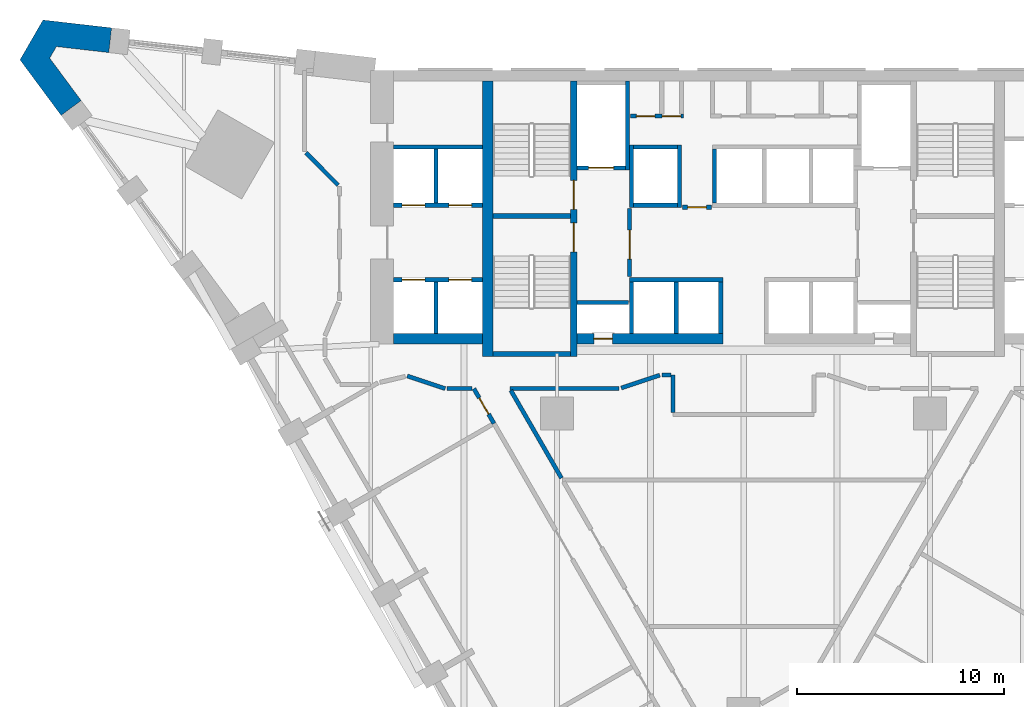
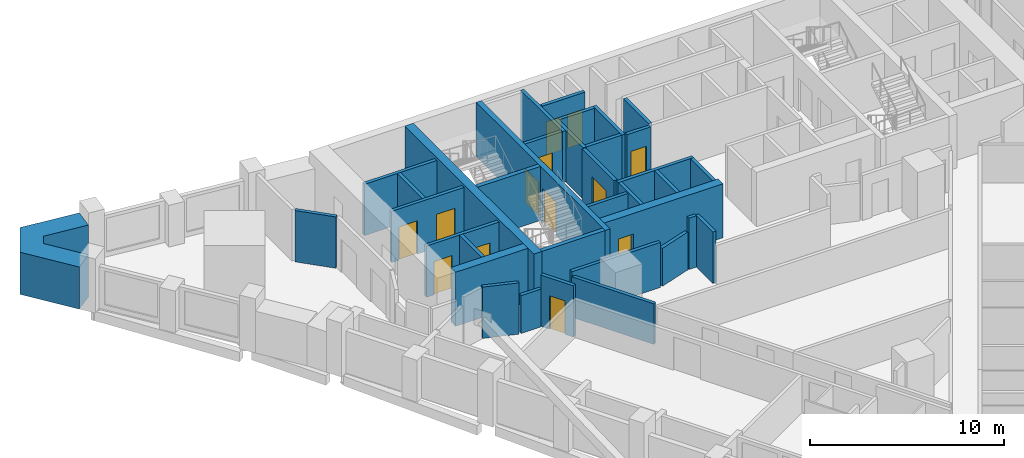
# One storey, part 6 of 10: 36 walls, 13 doors, 13 openings.
"""IFC4 building model written with IfcOpenShell, lengths in metres."""

from ifc_helpers import new_model, si_unit, direction, frame, frame_2d, origin, place, context, subcontext, project, spatial, polyline, rectangle, outline, extrude, material, layer, layer_set, type_object, element, fill, save


model = new_model("IFC4")

# Units and contexts
model_context = context("Model", 3, precision=1e-05, world=origin(), true_north=direction((0.0, 1.0)))
body_context = subcontext(model_context, "Body", "Model", "MODEL_VIEW")
ifc_project = project(units=[si_unit("LENGTHUNIT", "METRE"), si_unit("AREAUNIT", "SQUARE_METRE"), si_unit("VOLUMEUNIT", "CUBIC_METRE"), si_unit("PLANEANGLEUNIT", "RADIAN"), si_unit("MASSUNIT", "GRAM", prefix="KILO")], contexts=[model_context])

# Site, building, storey
site_placement = place(None, origin())
site = spatial("IfcSite", under=ifc_project, at=site_placement, CompositionType="ELEMENT")
building_placement = place(site_placement, origin())
building = spatial("IfcBuilding", under=site, at=building_placement, Name="Calabash Gate Tower", CompositionType="ELEMENT")
storey_placement = place(building_placement, frame((0.0, 0.0, 66.39990234375)))
storey = spatial("IfcBuildingStorey", under=building, at=storey_placement, Name="L12", CompositionType="ELEMENT", Elevation=66.39990234375)

# Walls
ifc_material_1 = material(Name="Terracotta brick masonry, exposed face", Category="masonry")
ifc_layer_1 = layer(ifc_material_1, 1.199951171875)
ifc_layer_set_1 = layer_set([ifc_layer_1], Name="Brick end wall 1200")
wall_type_1 = type_object("IfcWallType", Name="Brick end wall 1200", PredefinedType="SOLIDWALL", material=ifc_layer_set_1)
wall_1_placement = place(storey_placement, origin())
element("IfcWall", 1, at=wall_1_placement, inside=storey, type_object=wall_type_1, Name="Brick end wall S03 2", PredefinedType="SOLIDWALL", context=body_context, shape_type="SweptSolid", body=[
    extrude(outline(polyline([(-33.15966796875, 20.206787109375), (-30.630615234375, 19.917236328125), (-30.494140625, 21.109375), (-33.805419921875, 21.48876953125), (-34.915771484375, 19.5654296875), (-32.931884765625, 16.887451171875), (-31.967529296875, 17.601806640625), (-33.48291015625, 19.647216796875), (-33.15966796875, 20.206787109375)])), origin(), (0.0, 0.0, 1.0), 2.650146484375),
])
ifc_material_2 = material(Name="Concrete C80/95", Category="concrete")
ifc_layer_2 = layer(ifc_material_2, 0.25)
ifc_layer_set_2 = layer_set([ifc_layer_2], Name="Core wall 250 Concrete C80/95")
wall_type_2 = type_object("IfcWallType", Name="Core wall 250 Concrete C80/95", PredefinedType="SHEAR", material=ifc_layer_set_2)
for number, where, z_axis, x_axis, name in (
    (2, (-12.10009765625, 12.027587890625, 0.0), (0.0, 0.0, 1.0), (1.0, 0.0, 0.0), "Core wall Z1-MIDW L12"),
    (3, (-12.10009765625, 5.377685546875, 0.0), (0.0, 0.0, 1.0), (1.0, 0.0, 0.0), "Core wall Z1-SSW L12"),
):
    element("IfcWall", number, at=place(storey_placement, frame(where, z_axis=z_axis, x_axis=x_axis)), inside=storey, type_object=wall_type_2, Name=name, PredefinedType="SHEAR", context=body_context, shape_type="SweptSolid", body=[
        extrude(rectangle(XDim=3.75, YDim=0.25, at=frame_2d((1.875, 0.0))), origin(), (0.0, 0.0, 1.0), 3.400146484375),
    ])

# Wall, openings, doors
ifc_material_3 = material(Name="Concrete C80/95", Category="concrete")
ifc_layer_3 = layer(ifc_material_3, 0.300048828125)
ifc_layer_set_3 = layer_set([ifc_layer_3], Name="Core wall 300 Concrete C80/95")
wall_type_3 = type_object("IfcWallType", Name="Core wall 300 Concrete C80/95", PredefinedType="SHEAR", material=ifc_layer_set_3)
wall_2_placement = place(storey_placement, frame((-8.199951171875, 5.252685546875, 0.0), z_axis=(0.0, 0.0, 1.0), x_axis=(0.0, 1.0, 0.0)))
wall_2 = element("IfcWall", 4, at=wall_2_placement, inside=storey, type_object=wall_type_3, Name="Core wall Z1-PARTW L12", PredefinedType="SHEAR", context=body_context, shape_type="SweptSolid", body=[
    extrude(rectangle(XDim=13.2998046875, YDim=0.300048828125, at=frame_2d((6.64990234375, 0.0))), origin(), (0.0, 0.0, 1.0), 3.400146484375),
])
opening_1_placement = place(wall_2_placement, frame((7.10009765625, 0.0, 0.0)))
opening_1 = element("IfcOpeningElement", 5, at=opening_1_placement, cuts=wall_2, Name="Opening H3-015", PredefinedType="OPENING", context=body_context, shape_type="SweptSolid", body=[
    extrude(rectangle(XDim=1.39990234375, YDim=2.10009765625, at=frame_2d((0.699951171875, 1.050048828125))), frame((0.0, 0.159912109375, 0.0), z_axis=(0.0, -1.0, 0.0), x_axis=(1.0, 0.0, 0.0)), (0.0, 0.0, 1.0), 0.320068359375),
])
opening_2_placement = place(wall_2_placement, frame((5.050048828125, 0.0, 0.0)))
opening_2 = element("IfcOpeningElement", 6, at=opening_2_placement, cuts=wall_2, Name="Opening H3-016", PredefinedType="OPENING", context=body_context, shape_type="SweptSolid", body=[
    extrude(rectangle(XDim=1.39990234375, YDim=2.10009765625, at=frame_2d((0.699951171875, 1.050048828125))), frame((0.0, 0.159912109375, 0.0), z_axis=(0.0, -1.0, 0.0), x_axis=(1.0, 0.0, 0.0)), (0.0, 0.0, 1.0), 0.320068359375),
])
ifc_material_4 = material(Name="Steel fire door set with fire-resisting glazing", Category="steel")
door_type_1 = type_object("IfcDoorType", Name="Fire door D05 1400x2100 FD90", OperationType="NOTDEFINED", PredefinedType="DOOR", material=ifc_material_4)
door_1_placement = place(opening_1_placement, origin())
door_1 = element("IfcDoor", 7, at=door_1_placement, inside=storey, type_object=door_type_1, Name="Exit stair door ST1", OperationType="SINGLE_SWING_LEFT", OverallHeight=2.10009765625, OverallWidth=1.39990234375, PredefinedType="DOOR", context=body_context, shape_type="SweptSolid", body=[
    extrude(rectangle(XDim=1.39990234375, YDim=2.10009765625, at=frame_2d((0.699951171875, 1.050048828125))), frame((0.0, 0.02490234375, 0.0), z_axis=(0.0, -1.0, 0.0), x_axis=(1.0, 0.0, 0.0)), (0.0, 0.0, 1.0), 0.050048828125),
])
fill(opening_1, door_1)
door_2_placement = place(opening_2_placement, origin())
door_2 = element("IfcDoor", 8, at=door_2_placement, inside=storey, type_object=door_type_1, Name="Exit stair door ST2", OperationType="SINGLE_SWING_LEFT", OverallHeight=2.10009765625, OverallWidth=1.39990234375, PredefinedType="DOOR", context=body_context, shape_type="SweptSolid", body=[
    extrude(rectangle(XDim=1.39990234375, YDim=2.10009765625, at=frame_2d((0.699951171875, 1.050048828125))), frame((0.0, 0.02490234375, 0.0), z_axis=(0.0, -1.0, 0.0), x_axis=(1.0, 0.0, 0.0)), (0.0, 0.0, 1.0), 0.050048828125),
])
fill(opening_2, door_2)

# Wall
ifc_material_5 = material(Name="Concrete C80/95", Category="concrete")
ifc_layer_4 = layer(ifc_material_5, 0.5)
ifc_layer_set_4 = layer_set([ifc_layer_4], Name="Core wall 500 Concrete C80/95")
wall_type_4 = type_object("IfcWallType", Name="Core wall 500 Concrete C80/95", PredefinedType="SHEAR", material=ifc_layer_set_4)
wall_3_placement = place(storey_placement, frame((-12.35009765625, 5.252685546875, 0.0), z_axis=(0.0, 0.0, 1.0), x_axis=(0.0, 1.0, 0.0)))
element("IfcWall", 9, at=wall_3_placement, inside=storey, type_object=wall_type_4, Name="Core wall Z1-COLW L12", PredefinedType="SHEAR", context=body_context, shape_type="SweptSolid", body=[
    extrude(rectangle(XDim=13.2998046875, YDim=0.5, at=frame_2d((6.64990234375, 0.0))), origin(), (0.0, 0.0, 1.0), 3.400146484375),
])

# Wall, opening, door
wall_4_placement = place(storey_placement, frame((-8.050048828125, 6.1025390625, 0.0), z_axis=(0.0, 0.0, 1.0), x_axis=(1.0, 0.0, 0.0)))
wall_4 = element("IfcWall", 10, at=wall_4_placement, inside=storey, type_object=wall_type_4, Name="Core wall Z1-SA L12", PredefinedType="SHEAR", context=body_context, shape_type="SweptSolid", body=[
    extrude(rectangle(XDim=7.050048828125, YDim=0.5, at=frame_2d((3.52490234375, 0.0))), origin(), (0.0, 0.0, 1.0), 3.400146484375),
])
opening_3_placement = place(wall_4_placement, frame((0.824951171875, 0.0, 0.0)))
opening_3 = element("IfcOpeningElement", 11, at=opening_3_placement, cuts=wall_4, Name="Opening H3-014", PredefinedType="OPENING", context=body_context, shape_type="SweptSolid", body=[
    extrude(rectangle(XDim=0.89990234375, YDim=2.10009765625, at=frame_2d((0.449951171875, 1.050048828125))), frame((0.0, 0.260009765625, 0.0), z_axis=(0.0, -1.0, 0.0), x_axis=(1.0, 0.0, 0.0)), (0.0, 0.0, 1.0), 0.52001953125),
])
ifc_material_6 = material(Name="Steel fire door set with fire-resisting glazing", Category="steel")
door_type_2 = type_object("IfcDoorType", Name="Fire door D07 900x2100 FD90", OperationType="NOTDEFINED", PredefinedType="DOOR", material=ifc_material_6)
door_3_placement = place(opening_3_placement, origin())
door_3 = element("IfcDoor", 12, at=door_3_placement, inside=storey, type_object=door_type_2, Name="Electrical Riser W door", OperationType="SINGLE_SWING_LEFT", OverallHeight=2.10009765625, OverallWidth=0.89990234375, PredefinedType="DOOR", context=body_context, shape_type="SweptSolid", body=[
    extrude(rectangle(XDim=0.89990234375, YDim=2.10009765625, at=frame_2d((0.449951171875, 1.050048828125))), frame((0.0, 0.02490234375, 0.0), z_axis=(0.0, -1.0, 0.0), x_axis=(1.0, 0.0, 0.0)), (0.0, 0.0, 1.0), 0.050048828125),
])
fill(opening_3, door_3)

# Wall
wall_5_placement = place(storey_placement, frame((-12.60009765625, 6.1025390625, 0.0), z_axis=(0.0, 0.0, 1.0), x_axis=(-1.0, 0.0, 0.0)))
element("IfcWall", 13, at=wall_5_placement, inside=storey, type_object=wall_type_4, Name="Core wall Z1-SW L12", PredefinedType="SHEAR", context=body_context, shape_type="SweptSolid", body=[
    extrude(rectangle(XDim=4.2998046875, YDim=0.5, at=frame_2d((2.14990234375, 0.0))), origin(), (0.0, 0.0, 1.0), 3.400146484375),
])

# Wall, opening, door
ifc_material_7 = material(Name="Gypsum board on steel studs, mineral wool", Category="steel")
ifc_layer_5 = layer(ifc_material_7, 0.199951171875)
ifc_layer_set_5 = layer_set([ifc_layer_5], Name="Partition 200 gypsum board EI 60")
wall_type_5 = type_object("IfcWallType", Name="Partition 200 gypsum board EI 60", PredefinedType="PARTITIONING", material=ifc_layer_set_5)
wall_6_placement = place(storey_placement, frame((-13.0126953125, 3.699462890625, 0.0), z_axis=(0.0, 0.0, 1.0), x_axis=(0.499265012286, -0.866449333491, 0.0)))
wall_6 = element("IfcWall", 14, at=wall_6_placement, inside=storey, type_object=wall_type_5, Name="Partition", PredefinedType="PARTITIONING", context=body_context, shape_type="SweptSolid", body=[
    extrude(rectangle(XDim=1.94091796875, YDim=0.199951171875, at=frame_2d((0.970458984375, 0.0))), origin(), (0.0, 0.0, 1.0), 3.22998046875),
])
opening_4_placement = place(wall_6_placement, frame((0.5205078125, 0.0, 0.0)))
opening_4 = element("IfcOpeningElement", 15, at=opening_4_placement, cuts=wall_6, Name="Opening 12-14-021", PredefinedType="OPENING", context=body_context, shape_type="SweptSolid", body=[
    extrude(rectangle(XDim=0.89990234375, YDim=2.10009765625, at=frame_2d((0.449951171875, 1.050048828125))), frame((0.0, 0.10986328125, 0.0), z_axis=(0.0, -1.0, 0.0), x_axis=(1.0, 0.0, 0.0)), (0.0, 0.0, 1.0), 0.219970703125),
])
ifc_material_8 = material(Name="Steel fire door set with fire-resisting glazing", Category="steel")
door_type_3 = type_object("IfcDoorType", Name="SD3 Store door 900x2100", OperationType="NOTDEFINED", PredefinedType="DOOR", material=ifc_material_8)
door_4_placement = place(opening_4_placement, origin())
door_4 = element("IfcDoor", 16, at=door_4_placement, inside=storey, type_object=door_type_3, Name="Store door", OperationType="SINGLE_SWING_LEFT", OverallHeight=2.10009765625, OverallWidth=0.89990234375, PredefinedType="DOOR", context=body_context, shape_type="SweptSolid", body=[
    extrude(rectangle(XDim=0.89990234375, YDim=2.10009765625, at=frame_2d((0.449951171875, 1.050048828125))), frame((0.0, 0.02490234375, 0.0), z_axis=(0.0, -1.0, 0.0), x_axis=(1.0, 0.0, 0.0)), (0.0, 0.0, 1.0), 0.050048828125),
])
fill(opening_4, door_4)

# Walls
wall_7_placement = place(storey_placement, frame((-3.402099609375, 4.3505859375, 0.0), z_axis=(0.0, 0.0, 1.0), x_axis=(0.001086217961, -0.999999410065, 0.0)))
element("IfcWall", 17, at=wall_7_placement, inside=storey, type_object=wall_type_5, Name="Partition", PredefinedType="PARTITIONING", context=body_context, shape_type="SweptSolid", body=[
    extrude(rectangle(XDim=1.798095703125, YDim=0.199951171875, at=frame_2d((0.89892578125, 0.0))), origin(), (0.0, 0.0, 1.0), 3.22998046875),
])
wall_8_placement = place(storey_placement, frame((-11.22998046875, 3.61328125, 0.0), z_axis=(0.0, 0.0, 1.0), x_axis=(0.49997195544, -0.866041594713, 0.0)))
element("IfcWall", 18, at=wall_8_placement, inside=storey, type_object=wall_type_5, Name="Partition", PredefinedType="PARTITIONING", context=body_context, shape_type="SweptSolid", body=[
    extrude(rectangle(XDim=4.884521484375, YDim=0.199951171875, at=frame_2d((2.4423828125, 0.0))), origin(), (0.0, 0.0, 1.0), 2.552001953125),
])
wall_9_placement = place(storey_placement, frame((-16.228515625, 4.30908203125, 0.0), z_axis=(0.0, 0.0, 1.0), x_axis=(0.948657960303, -0.316303769112, 0.0)))
element("IfcWall", 19, at=wall_9_placement, inside=storey, type_object=wall_type_5, Name="Partition", PredefinedType="PARTITIONING", context=body_context, shape_type="SweptSolid", body=[
    extrude(rectangle(XDim=1.92724609375, YDim=0.199951171875, at=frame_2d((0.963623046875, 0.0))), origin(), (0.0, 0.0, 1.0), 3.22998046875),
])
wall_10_placement = place(storey_placement, frame((-14.30029296875, 3.699462890625, 0.0), z_axis=(0.0, 0.0, 1.0), x_axis=(1.0, 0.0, 0.0)))
element("IfcWall", 20, at=wall_10_placement, inside=storey, type_object=wall_type_5, Name="Partition", PredefinedType="PARTITIONING", context=body_context, shape_type="SweptSolid", body=[
    extrude(rectangle(XDim=1.1875, YDim=0.199951171875, at=frame_2d((0.59375, 0.0))), origin(), (0.0, 0.0, 1.0), 2.38427734375),
])
wall_11_placement = place(storey_placement, frame((-11.280029296875, 3.69970703125, 0.0), z_axis=(0.0, 0.0, 1.0), x_axis=(1.0, 0.0, 0.0)))
element("IfcWall", 21, at=wall_11_placement, inside=storey, type_object=wall_type_5, Name="Partition", PredefinedType="PARTITIONING", context=body_context, shape_type="SweptSolid", body=[
    extrude(rectangle(XDim=5.280029296875, YDim=0.199951171875, at=frame_2d((2.64013671875, 0.0))), origin(), (0.0, 0.0, 1.0), 2.831787109375),
])
wall_12_placement = place(storey_placement, frame((-5.905029296875, 3.7314453125, 0.0), z_axis=(0.0, 0.0, 1.0), x_axis=(0.948695731075, 0.316190464499, 0.0)))
element("IfcWall", 22, at=wall_12_placement, inside=storey, type_object=wall_type_5, Name="Partition", PredefinedType="PARTITIONING", context=body_context, shape_type="SweptSolid", body=[
    extrude(rectangle(XDim=1.963623046875, YDim=0.199951171875, at=frame_2d((0.98193359375, 0.0))), origin(), (0.0, 0.0, 1.0), 2.38427734375),
])
wall_13_placement = place(storey_placement, frame((-3.9423828125, 4.35205078125, 0.0), z_axis=(0.0, 0.0, 1.0), x_axis=(0.999996159087, -0.00277160798, 0.0)))
element("IfcWall", 23, at=wall_13_placement, inside=storey, type_object=wall_type_5, Name="Partition", PredefinedType="PARTITIONING", context=body_context, shape_type="SweptSolid", body=[
    extrude(rectangle(XDim=0.4404296875, YDim=0.199951171875, at=frame_2d((0.22021484375, 0.0))), origin(), (0.0, 0.0, 1.0), 3.22998046875),
])
wall_14_placement = place(storey_placement, frame((-21.115234375, 15.08154296875, 0.0), z_axis=(0.0, 0.0, 1.0), x_axis=(0.703983957636, -0.710215873796, 0.0)))
element("IfcWall", 24, at=wall_14_placement, inside=storey, type_object=wall_type_5, Name="Partition", PredefinedType="PARTITIONING", context=body_context, shape_type="SweptSolid", body=[
    extrude(rectangle(XDim=2.19384765625, YDim=0.199951171875, at=frame_2d((1.096923828125, 0.0))), origin(), (0.0, 0.0, 1.0), 3.22998046875),
])
ifc_material_9 = material(Name="Concrete C40/50", Category="concrete")
ifc_layer_6 = layer(ifc_material_9, 0.199951171875)
ifc_layer_set_6 = layer_set([ifc_layer_6], Name="Shaft wall 200 Concrete C40/50")
wall_type_6 = type_object("IfcWallType", Name="Shaft wall 200 Concrete C40/50", PredefinedType="SOLIDWALL", material=ifc_layer_set_6)
for number, where, z_axis, x_axis, name in (
    (25, (-14.85009765625, 6.3525390625, 0.0), (0.0, 0.0, 1.0), (0.0, 1.0, 0.0), "Shaft wall"),
    (26, (-5.39990234375, 6.3525390625, 0.0), (0.0, 0.0, 1.0), (0.0, 1.0, 0.0), "Shaft wall"),
    (27, (-3.25, 6.3525390625, 0.0), (0.0, 0.0, 1.0), (0.0, 1.0, 0.0), "Shaft wall"),
    (28, (-1.10009765625, 6.3525390625, 0.0), (0.0, 0.0, 1.0), (0.0, 1.0, 0.0), "Shaft wall"),
    (29, (-8.050048828125, 7.8525390625, 0.0), (0.0, 0.0, 1.0), (1.0, 0.0, 0.0), "Shaft wall"),
):
    element("IfcWall", number, at=place(storey_placement, frame(where, z_axis=z_axis, x_axis=x_axis)), inside=storey, type_object=wall_type_6, Name=name, PredefinedType="SOLIDWALL", context=body_context, shape_type="SweptSolid", body=[
        extrude(rectangle(XDim=2.5, YDim=0.199951171875, at=frame_2d((1.25, 0.0))), origin(), (0.0, 0.0, 1.0), 3.22998046875),
    ])

# Wall, openings, doors
wall_15_placement = place(storey_placement, frame((-16.89990234375, 8.95263671875, 0.0), z_axis=(0.0, 0.0, 1.0), x_axis=(1.0, 0.0, 0.0)))
wall_15 = element("IfcWall", 30, at=wall_15_placement, inside=storey, type_object=wall_type_6, Name="Shaft wall", PredefinedType="SOLIDWALL", context=body_context, shape_type="SweptSolid", body=[
    extrude(rectangle(XDim=4.2998046875, YDim=0.199951171875, at=frame_2d((2.14990234375, 0.0))), origin(), (0.0, 0.0, 1.0), 3.22998046875),
])
opening_5_placement = place(wall_15_placement, frame((2.675048828125, 0.0, 0.0)))
opening_5 = element("IfcOpeningElement", 31, at=opening_5_placement, cuts=wall_15, Name="Opening LD-LR1", PredefinedType="OPENING", context=body_context, shape_type="SweptSolid", body=[
    extrude(rectangle(XDim=1.10009765625, YDim=2.10009765625, at=frame_2d((0.550048828125, 1.050048828125))), frame((0.0, 0.10986328125, 0.0), z_axis=(0.0, -1.0, 0.0), x_axis=(1.0, 0.0, 0.0)), (0.0, 0.0, 1.0), 0.219970703125),
])
opening_6_placement = place(wall_15_placement, frame((0.425048828125, 0.0, 0.0)))
opening_6 = element("IfcOpeningElement", 32, at=opening_6_placement, cuts=wall_15, Name="Opening LD-LR2", PredefinedType="OPENING", context=body_context, shape_type="SweptSolid", body=[
    extrude(rectangle(XDim=1.10009765625, YDim=2.10009765625, at=frame_2d((0.550048828125, 1.050048828125))), frame((0.0, 0.10986328125, 0.0), z_axis=(0.0, -1.0, 0.0), x_axis=(1.0, 0.0, 0.0)), (0.0, 0.0, 1.0), 0.219970703125),
])
ifc_material_10 = material(Name="Stainless steel sliding door leaves", Category="steel")
door_type_4 = type_object("IfcDoorType", Name="Lift landing door LS1 1100x2100 FD90", OperationType="DOUBLE_DOOR_SLIDING", PredefinedType="DOOR", material=ifc_material_10)
door_5_placement = place(opening_5_placement, origin())
door_5 = element("IfcDoor", 33, at=door_5_placement, inside=storey, type_object=door_type_4, Name="Lift landing door LR1", OperationType="DOUBLE_DOOR_SLIDING", OverallHeight=2.10009765625, OverallWidth=1.10009765625, PredefinedType="DOOR", context=body_context, shape_type="SweptSolid", body=[
    extrude(rectangle(XDim=1.10009765625, YDim=2.10009765625, at=frame_2d((0.550048828125, 1.050048828125))), frame((0.0, 0.02490234375, 0.0), z_axis=(0.0, -1.0, 0.0), x_axis=(1.0, 0.0, 0.0)), (0.0, 0.0, 1.0), 0.050048828125),
])
fill(opening_5, door_5)
door_6_placement = place(opening_6_placement, origin())
door_6 = element("IfcDoor", 34, at=door_6_placement, inside=storey, type_object=door_type_4, Name="Lift landing door LR2", OperationType="DOUBLE_DOOR_SLIDING", OverallHeight=2.10009765625, OverallWidth=1.10009765625, PredefinedType="DOOR", context=body_context, shape_type="SweptSolid", body=[
    extrude(rectangle(XDim=1.10009765625, YDim=2.10009765625, at=frame_2d((0.550048828125, 1.050048828125))), frame((0.0, 0.02490234375, 0.0), z_axis=(0.0, -1.0, 0.0), x_axis=(1.0, 0.0, 0.0)), (0.0, 0.0, 1.0), 0.050048828125),
])
fill(opening_6, door_6)

# Wall
wall_16_placement = place(storey_placement, frame((-5.5, 8.95263671875, 0.0), z_axis=(0.0, 0.0, 1.0), x_axis=(1.0, 0.0, 0.0)))
element("IfcWall", 35, at=wall_16_placement, inside=storey, type_object=wall_type_6, Name="Shaft wall", PredefinedType="SOLIDWALL", context=body_context, shape_type="SweptSolid", body=[
    extrude(rectangle(XDim=4.5, YDim=0.199951171875, at=frame_2d((2.25, 0.0))), origin(), (0.0, 0.0, 1.0), 3.22998046875),
])

# Wall, opening, door
wall_17_placement = place(storey_placement, frame((-5.5, 9.1025390625, 0.0), z_axis=(0.0, 0.0, 1.0), x_axis=(0.0, 1.0, 0.0)))
wall_17 = element("IfcWall", 36, at=wall_17_placement, inside=storey, type_object=wall_type_6, Name="Shaft wall", PredefinedType="SOLIDWALL", context=body_context, shape_type="SweptSolid", body=[
    extrude(rectangle(XDim=3.300048828125, YDim=0.199951171875, at=frame_2d((1.64990234375, 0.0))), origin(), (0.0, 0.0, 1.0), 3.22998046875),
])
opening_7_placement = place(wall_17_placement, frame((0.85009765625, 0.0, 0.0)))
opening_7 = element("IfcOpeningElement", 37, at=opening_7_placement, cuts=wall_17, Name="Opening H3-007", PredefinedType="OPENING", context=body_context, shape_type="SweptSolid", body=[
    extrude(rectangle(XDim=1.39990234375, YDim=2.10009765625, at=frame_2d((0.699951171875, 1.050048828125))), frame((0.0, 0.10986328125, 0.0), z_axis=(0.0, -1.0, 0.0), x_axis=(1.0, 0.0, 0.0)), (0.0, 0.0, 1.0), 0.219970703125),
])
door_7_placement = place(opening_7_placement, origin())
door_7 = element("IfcDoor", 38, at=door_7_placement, inside=storey, type_object=door_type_1, Name="Firefighting Lobby W door", OperationType="SINGLE_SWING_RIGHT", OverallHeight=2.10009765625, OverallWidth=1.39990234375, PredefinedType="DOOR", context=body_context, shape_type="SweptSolid", body=[
    extrude(rectangle(XDim=1.39990234375, YDim=2.10009765625, at=frame_2d((0.699951171875, 1.050048828125))), frame((0.0, 0.02490234375, 0.0), z_axis=(0.0, -1.0, 0.0), x_axis=(1.0, 0.0, 0.0)), (0.0, 0.0, 1.0), 0.050048828125),
])
fill(opening_7, door_7)

wall_18_placement = place(storey_placement, frame((-2.949951171875, 12.45263671875, 0.0), z_axis=(0.0, 0.0, 1.0), x_axis=(1.0, 0.0, 0.0)))
wall_18 = element("IfcWall", 39, at=wall_18_placement, inside=storey, type_object=wall_type_6, Name="Shaft wall", PredefinedType="SOLIDWALL", context=body_context, shape_type="SweptSolid", body=[
    extrude(rectangle(XDim=1.39990234375, YDim=0.199951171875, at=frame_2d((0.699951171875, 0.0))), origin(), (0.0, 0.0, 1.0), 3.22998046875),
])
opening_8_placement = place(wall_18_placement, frame((0.25, 0.0, 0.0)))
opening_8 = element("IfcOpeningElement", 40, at=opening_8_placement, cuts=wall_18, Name="Opening H3-005", PredefinedType="OPENING", context=body_context, shape_type="SweptSolid", body=[
    extrude(rectangle(XDim=0.89990234375, YDim=2.10009765625, at=frame_2d((0.449951171875, 1.050048828125))), frame((0.0, 0.10986328125, 0.0), z_axis=(0.0, -1.0, 0.0), x_axis=(1.0, 0.0, 0.0)), (0.0, 0.0, 1.0), 0.219970703125),
])
ifc_material_11 = material(Name="Steel fire door set with fire-resisting glazing", Category="steel")
door_type_5 = type_object("IfcDoorType", Name="Fire door D06 900x2100 FD60", OperationType="NOTDEFINED", PredefinedType="DOOR", material=ifc_material_11)
door_8_placement = place(opening_8_placement, origin())
door_8 = element("IfcDoor", 41, at=door_8_placement, inside=storey, type_object=door_type_5, Name="Service Corridor door", OperationType="SINGLE_SWING_RIGHT", OverallHeight=2.10009765625, OverallWidth=0.89990234375, PredefinedType="DOOR", context=body_context, shape_type="SweptSolid", body=[
    extrude(rectangle(XDim=0.89990234375, YDim=2.10009765625, at=frame_2d((0.449951171875, 1.050048828125))), frame((0.0, 0.02490234375, 0.0), z_axis=(0.0, -1.0, 0.0), x_axis=(1.0, 0.0, 0.0)), (0.0, 0.0, 1.0), 0.050048828125),
])
fill(opening_8, door_8)

# Wall, openings, doors
wall_19_placement = place(storey_placement, frame((-16.89990234375, 12.552490234375, 0.0), z_axis=(0.0, 0.0, 1.0), x_axis=(1.0, 0.0, 0.0)))
wall_19 = element("IfcWall", 42, at=wall_19_placement, inside=storey, type_object=wall_type_6, Name="Shaft wall", PredefinedType="SOLIDWALL", context=body_context, shape_type="SweptSolid", body=[
    extrude(rectangle(XDim=4.2998046875, YDim=0.199951171875, at=frame_2d((2.14990234375, 0.0))), origin(), (0.0, 0.0, 1.0), 3.22998046875),
])
opening_9_placement = place(wall_19_placement, frame((2.675048828125, 0.0, 0.0)))
opening_9 = element("IfcOpeningElement", 43, at=opening_9_placement, cuts=wall_19, Name="Opening LD-LR3", PredefinedType="OPENING", context=body_context, shape_type="SweptSolid", body=[
    extrude(rectangle(XDim=1.10009765625, YDim=2.10009765625, at=frame_2d((0.550048828125, 1.050048828125))), frame((0.0, 0.10986328125, 0.0), z_axis=(0.0, -1.0, 0.0), x_axis=(1.0, 0.0, 0.0)), (0.0, 0.0, 1.0), 0.219970703125),
])
opening_10_placement = place(wall_19_placement, frame((0.425048828125, 0.0, 0.0)))
opening_10 = element("IfcOpeningElement", 44, at=opening_10_placement, cuts=wall_19, Name="Opening LD-LR4", PredefinedType="OPENING", context=body_context, shape_type="SweptSolid", body=[
    extrude(rectangle(XDim=1.10009765625, YDim=2.10009765625, at=frame_2d((0.550048828125, 1.050048828125))), frame((0.0, 0.10986328125, 0.0), z_axis=(0.0, -1.0, 0.0), x_axis=(1.0, 0.0, 0.0)), (0.0, 0.0, 1.0), 0.219970703125),
])
door_9_placement = place(opening_9_placement, origin())
door_9 = element("IfcDoor", 45, at=door_9_placement, inside=storey, type_object=door_type_4, Name="Lift landing door LR3", OperationType="DOUBLE_DOOR_SLIDING", OverallHeight=2.10009765625, OverallWidth=1.10009765625, PredefinedType="DOOR", context=body_context, shape_type="SweptSolid", body=[
    extrude(rectangle(XDim=1.10009765625, YDim=2.10009765625, at=frame_2d((0.550048828125, 1.050048828125))), frame((0.0, 0.02490234375, 0.0), z_axis=(0.0, -1.0, 0.0), x_axis=(1.0, 0.0, 0.0)), (0.0, 0.0, 1.0), 0.050048828125),
])
fill(opening_9, door_9)
door_10_placement = place(opening_10_placement, origin())
door_10 = element("IfcDoor", 46, at=door_10_placement, inside=storey, type_object=door_type_4, Name="Lift landing door LR4", OperationType="DOUBLE_DOOR_SLIDING", OverallHeight=2.10009765625, OverallWidth=1.10009765625, PredefinedType="DOOR", context=body_context, shape_type="SweptSolid", body=[
    extrude(rectangle(XDim=1.10009765625, YDim=2.10009765625, at=frame_2d((0.550048828125, 1.050048828125))), frame((0.0, 0.02490234375, 0.0), z_axis=(0.0, -1.0, 0.0), x_axis=(1.0, 0.0, 0.0)), (0.0, 0.0, 1.0), 0.050048828125),
])
fill(opening_10, door_10)

# Walls
wall_20_placement = place(storey_placement, frame((-5.39990234375, 12.45263671875, 0.0), z_axis=(0.0, 0.0, 1.0), x_axis=(0.0, 1.0, 0.0)))
element("IfcWall", 47, at=wall_20_placement, inside=storey, type_object=wall_type_6, Name="Shaft wall", PredefinedType="SOLIDWALL", context=body_context, shape_type="SweptSolid", body=[
    extrude(rectangle(XDim=3.0, YDim=0.199951171875, at=frame_2d((1.5, 0.0))), origin(), (0.0, 0.0, 1.0), 3.22998046875),
])
wall_21_placement = place(storey_placement, frame((-5.300048828125, 12.552490234375, 0.0), z_axis=(0.0, 0.0, 1.0), x_axis=(1.0, 0.0, 0.0)))
element("IfcWall", 48, at=wall_21_placement, inside=storey, type_object=wall_type_6, Name="Shaft wall", PredefinedType="SOLIDWALL", context=body_context, shape_type="SweptSolid", body=[
    extrude(rectangle(XDim=2.10009765625, YDim=0.199951171875, at=frame_2d((1.050048828125, 0.0))), origin(), (0.0, 0.0, 1.0), 3.22998046875),
])
wall_22_placement = place(storey_placement, frame((-3.10009765625, 12.45263671875, 0.0), z_axis=(0.0, 0.0, 1.0), x_axis=(0.0, 1.0, 0.0)))
element("IfcWall", 49, at=wall_22_placement, inside=storey, type_object=wall_type_6, Name="Shaft wall", PredefinedType="SOLIDWALL", context=body_context, shape_type="SweptSolid", body=[
    extrude(rectangle(XDim=3.0, YDim=0.199951171875, at=frame_2d((1.5, 0.0))), origin(), (0.0, 0.0, 1.0), 3.22998046875),
])
for number, where, z_axis, x_axis, name in (
    (50, (-14.85009765625, 12.652587890625, 0.0), (0.0, 0.0, 1.0), (0.0, 1.0, 0.0), "Shaft wall"),
    (51, (-1.39990234375, 12.652587890625, 0.0), (0.0, 0.0, 1.0), (0.0, 1.0, 0.0), "Shaft wall"),
):
    element("IfcWall", number, at=place(storey_placement, frame(where, z_axis=z_axis, x_axis=x_axis)), inside=storey, type_object=wall_type_6, Name=name, PredefinedType="SOLIDWALL", context=body_context, shape_type="SweptSolid", body=[
        extrude(rectangle(XDim=2.60009765625, YDim=0.199951171875, at=frame_2d((1.300048828125, 0.0))), origin(), (0.0, 0.0, 1.0), 3.22998046875),
    ])

# Wall, opening, door
wall_23_placement = place(storey_placement, frame((-8.050048828125, 14.3525390625, 0.0), z_axis=(0.0, 0.0, 1.0), x_axis=(1.0, 0.0, 0.0)))
wall_23 = element("IfcWall", 52, at=wall_23_placement, inside=storey, type_object=wall_type_6, Name="Shaft wall", PredefinedType="SOLIDWALL", context=body_context, shape_type="SweptSolid", body=[
    extrude(rectangle(XDim=2.35009765625, YDim=0.199951171875, at=frame_2d((1.175048828125, 0.0))), origin(), (0.0, 0.0, 1.0), 3.22998046875),
])
opening_11_placement = place(wall_23_placement, frame((0.574951171875, 0.0, 0.0)))
opening_11 = element("IfcOpeningElement", 53, at=opening_11_placement, cuts=wall_23, Name="Opening LD-FF1", PredefinedType="OPENING", context=body_context, shape_type="SweptSolid", body=[
    extrude(rectangle(XDim=1.199951171875, YDim=2.10009765625, at=frame_2d((0.60009765625, 1.050048828125))), frame((0.0, 0.10986328125, 0.0), z_axis=(0.0, -1.0, 0.0), x_axis=(1.0, 0.0, 0.0)), (0.0, 0.0, 1.0), 0.219970703125),
])
ifc_material_12 = material(Name="Stainless steel sliding door leaves", Category="steel")
door_type_6 = type_object("IfcDoorType", Name="Lift landing door LS3 1200x2100 FD90", OperationType="DOUBLE_DOOR_SLIDING", PredefinedType="DOOR", material=ifc_material_12)
door_11_placement = place(opening_11_placement, origin())
door_11 = element("IfcDoor", 54, at=door_11_placement, inside=storey, type_object=door_type_6, Name="Lift landing door FF1", OperationType="DOUBLE_DOOR_SLIDING", OverallHeight=2.10009765625, OverallWidth=1.199951171875, PredefinedType="DOOR", context=body_context, shape_type="SweptSolid", body=[
    extrude(rectangle(XDim=1.199951171875, YDim=2.10009765625, at=frame_2d((0.60009765625, 1.050048828125))), frame((0.0, 0.02490234375, 0.0), z_axis=(0.0, -1.0, 0.0), x_axis=(1.0, 0.0, 0.0)), (0.0, 0.0, 1.0), 0.050048828125),
])
fill(opening_11, door_11)

# Walls
for number, where, z_axis, x_axis, name in (
    (55, (-5.60009765625, 14.252685546875, 0.0), (0.0, 0.0, 1.0), (0.0, 1.0, 0.0), "Shaft wall"),
    (56, (-16.89990234375, 15.3525390625, 0.0), (0.0, 0.0, 1.0), (1.0, 0.0, 0.0), "Shaft wall"),
):
    element("IfcWall", number, at=place(storey_placement, frame(where, z_axis=z_axis, x_axis=x_axis)), inside=storey, type_object=wall_type_6, Name=name, PredefinedType="SOLIDWALL", context=body_context, shape_type="SweptSolid", body=[
        extrude(rectangle(XDim=4.2998046875, YDim=0.199951171875, at=frame_2d((2.14990234375, 0.0))), origin(), (0.0, 0.0, 1.0), 3.22998046875),
    ])
wall_24_placement = place(storey_placement, frame((-5.300048828125, 15.3525390625, 0.0), z_axis=(0.0, 0.0, 1.0), x_axis=(1.0, 0.0, 0.0)))
element("IfcWall", 57, at=wall_24_placement, inside=storey, type_object=wall_type_6, Name="Shaft wall", PredefinedType="SOLIDWALL", context=body_context, shape_type="SweptSolid", body=[
    extrude(rectangle(XDim=2.10009765625, YDim=0.199951171875, at=frame_2d((1.050048828125, 0.0))), origin(), (0.0, 0.0, 1.0), 3.22998046875),
])

# Wall, openings, doors
wall_25_placement = place(storey_placement, frame((-5.449951171875, 16.8525390625, 0.0), z_axis=(0.0, 0.0, 1.0), x_axis=(1.0, 0.0, 0.0)))
wall_25 = element("IfcWall", 58, at=wall_25_placement, inside=storey, type_object=wall_type_6, Name="Shaft wall", PredefinedType="SOLIDWALL", context=body_context, shape_type="SweptSolid", body=[
    extrude(rectangle(XDim=2.550048828125, YDim=0.199951171875, at=frame_2d((1.27490234375, 0.0))), origin(), (0.0, 0.0, 1.0), 3.22998046875),
])
opening_12_placement = place(wall_25_placement, frame((0.27490234375, 0.0, 0.0)))
opening_12 = element("IfcOpeningElement", 59, at=opening_12_placement, cuts=wall_25, Name="Opening H3-008", PredefinedType="OPENING", context=body_context, shape_type="SweptSolid", body=[
    extrude(rectangle(XDim=0.89990234375, YDim=2.10009765625, at=frame_2d((0.449951171875, 1.050048828125))), frame((0.0, 0.10986328125, 0.0), z_axis=(0.0, -1.0, 0.0), x_axis=(1.0, 0.0, 0.0)), (0.0, 0.0, 1.0), 0.219970703125),
])
opening_13_placement = place(wall_25_placement, frame((1.52490234375, 0.0, 0.0)))
opening_13 = element("IfcOpeningElement", 60, at=opening_13_placement, cuts=wall_25, Name="Opening H3-009", PredefinedType="OPENING", context=body_context, shape_type="SweptSolid", body=[
    extrude(rectangle(XDim=0.89990234375, YDim=2.10009765625, at=frame_2d((0.449951171875, 1.050048828125))), frame((0.0, 0.10986328125, 0.0), z_axis=(0.0, -1.0, 0.0), x_axis=(1.0, 0.0, 0.0)), (0.0, 0.0, 1.0), 0.219970703125),
])
door_12_placement = place(opening_12_placement, origin())
door_12 = element("IfcDoor", 61, at=door_12_placement, inside=storey, type_object=door_type_5, Name="Ice and Vending door", OperationType="SINGLE_SWING_LEFT", OverallHeight=2.10009765625, OverallWidth=0.89990234375, PredefinedType="DOOR", context=body_context, shape_type="SweptSolid", body=[
    extrude(rectangle(XDim=0.89990234375, YDim=2.10009765625, at=frame_2d((0.449951171875, 1.050048828125))), frame((0.0, 0.02490234375, 0.0), z_axis=(0.0, -1.0, 0.0), x_axis=(1.0, 0.0, 0.0)), (0.0, 0.0, 1.0), 0.050048828125),
])
fill(opening_12, door_12)
door_13_placement = place(opening_13_placement, origin())
door_13 = element("IfcDoor", 62, at=door_13_placement, inside=storey, type_object=door_type_5, Name="Cleaner's Store door", OperationType="SINGLE_SWING_LEFT", OverallHeight=2.10009765625, OverallWidth=0.89990234375, PredefinedType="DOOR", context=body_context, shape_type="SweptSolid", body=[
    extrude(rectangle(XDim=0.89990234375, YDim=2.10009765625, at=frame_2d((0.449951171875, 1.050048828125))), frame((0.0, 0.02490234375, 0.0), z_axis=(0.0, -1.0, 0.0), x_axis=(1.0, 0.0, 0.0)), (0.0, 0.0, 1.0), 0.050048828125),
])
fill(opening_13, door_13)

save(model, "model.ifc")
